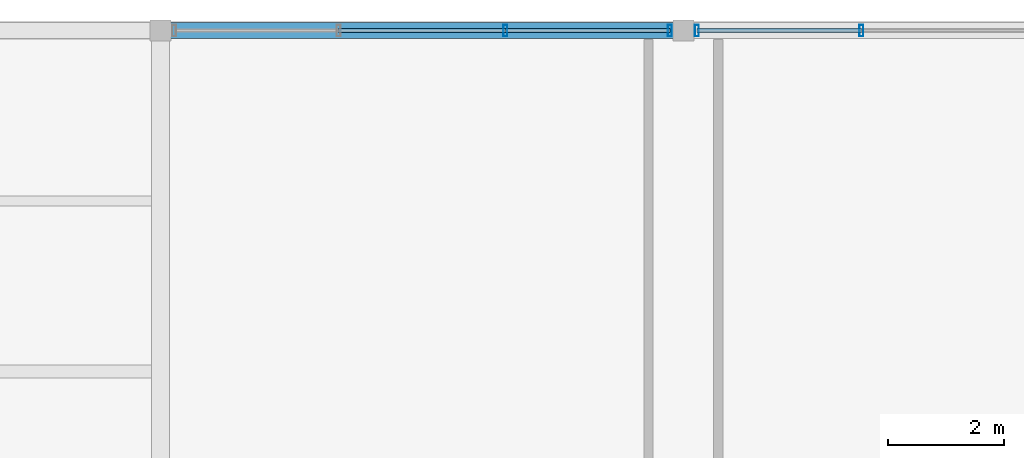
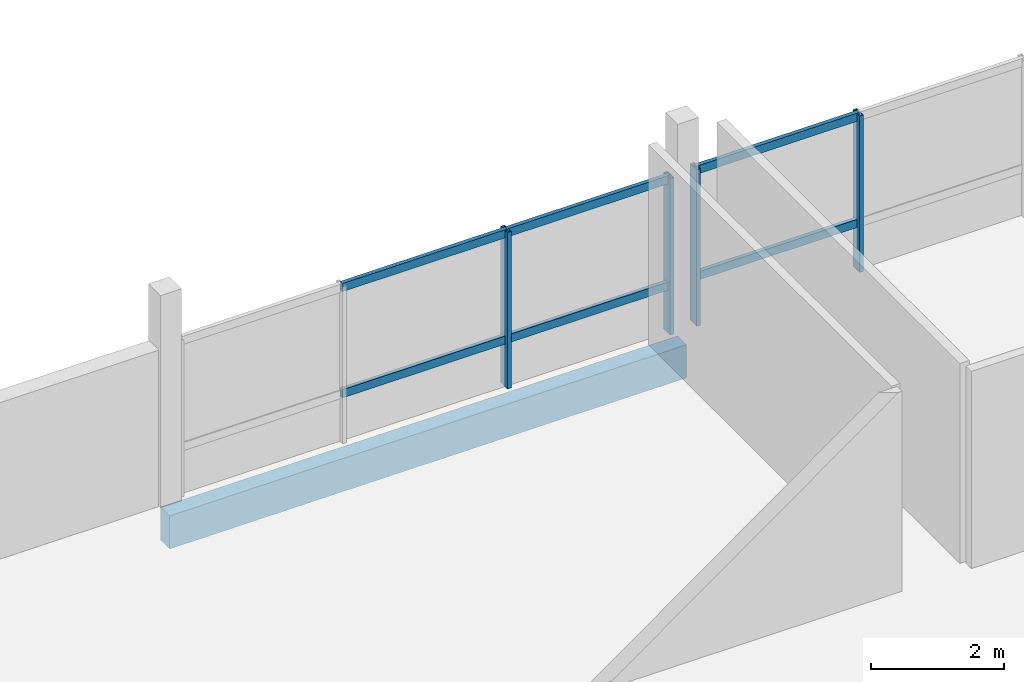
# One storey, part 28 of 39: 10 members, 1 beam, 2 elements without a shape of their own.
"""IFC4 building model written with IfcOpenShell, lengths in metres."""

import ifcopenshell
import ifcopenshell.guid

model = None  # the IFC model being written
_history = None  # IfcOwnerHistory: only IFC2X3 demands one
_inside = {}  # id of a spatial element -> (the spatial element, [elements in it])
_under = {}  # id of a project, library or spatial element -> (it, [spatial elements below it])
_declared = {}  # id of a project -> (the project, [libraries it declares])
_typed = {}  # id of a type object -> (the type object, [elements of that type])
_made_of = {}  # id of a material, layer set ... -> (it, [elements and type objects made of it])


def new_model(schema):
    """Start an empty IFC model of exactly this schema.

    Asked for "IFC4X3", IfcOpenShell would pick the latest addendum, in which some entities
    have other attributes; the version numbers below select the first issue.
    IFC2X3 requires an IfcOwnerHistory on every rooted entity: one is made here for all.
    """
    global model, _history
    if schema == "IFC4X3":
        model = ifcopenshell.file(schema_version=(4, 3, 0, 0))
    else:
        model = ifcopenshell.file(schema=schema)
    _inside.clear()
    _under.clear()
    _declared.clear()
    _typed.clear()
    _made_of.clear()
    _history = None
    if model.schema == "IFC2X3":
        org = make("IfcOrganization", Name="unknown")
        user = make(
            "IfcPersonAndOrganization",
            ThePerson=make("IfcPerson", FamilyName="unknown"),
            TheOrganization=org,
        )
        app = make(
            "IfcApplication",
            ApplicationDeveloper=org,
            Version="unknown",
            ApplicationFullName="unknown",
            ApplicationIdentifier="unknown",
        )
        _history = make(
            "IfcOwnerHistory",
            OwningUser=user,
            OwningApplication=app,
            ChangeAction="ADDED",
            CreationDate=0,
        )
    return model


def make(cls, **values):
    """One entity of the class cls with the attributes given. An attribute that is None is left unset."""
    return model.create_entity(
        cls, **{name: value for name, value in values.items() if value is not None}
    )


def rooted(cls, **values):
    """An entity with a GlobalId (a new one), such as an element, a storey or a relation."""
    return make(cls, GlobalId=ifcopenshell.guid.new(), OwnerHistory=_history, **values)


def si_unit(unit_type, name, prefix=None):
    """IfcSIUnit, for example si_unit("LENGTHUNIT", "METRE", prefix="MILLI")."""
    return make("IfcSIUnit", UnitType=unit_type, Prefix=prefix, Name=name)


def assignment(units):
    """IfcUnitAssignment: the units of a project."""
    return None if units is None else make("IfcUnitAssignment", Units=units)


def point(xyz):
    """IfcCartesianPoint."""
    return None if xyz is None else make("IfcCartesianPoint", Coordinates=xyz)


def direction(xyz):
    """IfcDirection."""
    return None if xyz is None else make("IfcDirection", DirectionRatios=xyz)


def frame(location, z_axis=None, x_axis=None):
    """IfcAxis2Placement3D, a coordinate frame: its origin and axes. An axis left out is left unset."""
    return make(
        "IfcAxis2Placement3D",
        Location=point(location),
        Axis=direction(z_axis),
        RefDirection=direction(x_axis),
    )


def frame_2d(location, x_axis=None):
    """IfcAxis2Placement2D, a coordinate frame in the plane: its origin and x axis."""
    return make(
        "IfcAxis2Placement2D", Location=point(location), RefDirection=direction(x_axis)
    )


def origin():
    """The frame at (0, 0, 0) with its axes left unset."""
    return frame((0.0, 0.0, 0.0))


def origin_2d():
    """The frame at (0, 0) in the plane with its x axis left unset."""
    return frame_2d((0.0, 0.0))


def place(relative_to, where):
    """IfcLocalPlacement: puts the frame where relative to a parent placement (None: the world)."""
    return make(
        "IfcLocalPlacement", PlacementRelTo=relative_to, RelativePlacement=where
    )


def context(
    kind, dimensions, precision=None, world=None, true_north=None, identifier=None
):
    """IfcGeometricRepresentationContext, for example the 3D "Model" context."""
    return make(
        "IfcGeometricRepresentationContext",
        ContextIdentifier=identifier,
        ContextType=kind,
        CoordinateSpaceDimension=dimensions,
        Precision=precision,
        WorldCoordinateSystem=world,
        TrueNorth=true_north,
    )


def subcontext(parent, identifier, kind, view, scale=None):
    """IfcGeometricRepresentationSubContext, for example "Body" below "Model"."""
    return make(
        "IfcGeometricRepresentationSubContext",
        ContextIdentifier=identifier,
        ContextType=kind,
        ParentContext=parent,
        TargetScale=scale,
        TargetView=view,
    )


def project(units=None, contexts=None):
    """IfcProject with its units and contexts."""
    return rooted(
        "IfcProject",
        Name="project",
        RepresentationContexts=contexts,
        UnitsInContext=assignment(units),
    )


def spatial(cls, under=None, at=None, **own):
    """A site, building, storey or space (cls), placed at a placement, below another one or the project."""
    s = rooted(cls, ObjectPlacement=at, **own)
    if under is not None:
        _under.setdefault(under.id(), (under, []))[1].append(s)
    return s


def profile(cls, at=None, kind="AREA", **sizes):
    """A parametric profile (cls). Its sizes go by their IFC names, for example OverallWidth=200.0."""
    return make(cls, ProfileType=kind, Position=at, **sizes)


def rectangle(**sizes):
    """IfcRectangleProfileDef."""
    return profile("IfcRectangleProfileDef", **sizes)


def hollow_rectangle(**sizes):
    """IfcRectangleHollowProfileDef."""
    return profile("IfcRectangleHollowProfileDef", **sizes)


def extrude(swept, where, along, depth):
    """IfcExtrudedAreaSolid: the profile swept, set in the frame where, extruded along a direction by depth."""
    return make(
        "IfcExtrudedAreaSolid",
        SweptArea=swept,
        Position=where,
        ExtrudedDirection=direction(along),
        Depth=depth,
    )


def shape(context_of_items, identifier, shape_type, items):
    """IfcShapeRepresentation: the items that make up one representation, for example the "Body"."""
    return make(
        "IfcShapeRepresentation",
        ContextOfItems=context_of_items,
        RepresentationIdentifier=identifier,
        RepresentationType=shape_type,
        Items=items,
    )


def material(Name=None, Category=None):
    """IfcMaterial."""
    return make("IfcMaterial", Name=Name, Category=Category)


def layer(
    of_material, thickness, ventilated=None, Name=None, Category=None, Priority=None
):
    """IfcMaterialLayer: one layer of a wall or slab, of a material (None: an air gap)."""
    return make(
        "IfcMaterialLayer",
        Material=of_material,
        LayerThickness=thickness,
        IsVentilated=ventilated,
        Name=Name,
        Category=Category,
        Priority=Priority,
    )


def layer_set(layers, Name=None):
    """IfcMaterialLayerSet."""
    return make("IfcMaterialLayerSet", MaterialLayers=layers, LayerSetName=Name)


def material_profile(
    of_material, cross_section, Name=None, Category=None, Priority=None
):
    """IfcMaterialProfile: a cross section and its material."""
    return make(
        "IfcMaterialProfile",
        Name=Name,
        Material=of_material,
        Profile=cross_section,
        Priority=Priority,
        Category=Category,
    )


def profile_set(profiles, Name=None, composite=None):
    """IfcMaterialProfileSet."""
    return make(
        "IfcMaterialProfileSet",
        Name=Name,
        MaterialProfiles=profiles,
        CompositeProfile=composite,
    )


def made_of(thing, what):
    """Note that an element or type object is made of a material, layer set ...; save() writes the relation."""
    if what is not None:
        _made_of.setdefault(what.id(), (what, []))[1].append(thing)
    return thing


def type_object(cls, material=None, **own):
    """A type object (cls), such as IfcWallType, which elements share."""
    return made_of(rooted(cls, **own), material)


def element(
    cls,
    number,
    at=None,
    inside=None,
    cuts=None,
    type_object=None,
    material=None,
    context=None,
    identifier="Body",
    shape_type=None,
    held_by="IfcProductDefinitionShape",
    body=None,
    shapes=None,
    **own,
):
    """One element of the class cls, such as IfcWall. Its Tag is "e" and its number.

    at: its placement. inside: the storey or other place that contains it. cuts: it is an
    opening in that element (IfcRelVoidsElement). A single representation is given by context,
    identifier, shape_type and body (its items); several are given by shapes. held_by: the class
    of the entity that holds the representations. save() writes the other relations.
    """
    e = rooted(cls, Tag="e%d" % number, ObjectPlacement=at, **own)
    if body is not None:
        shapes = [shape(context, identifier, shape_type, body)]
    if shapes is not None:
        e.Representation = make(held_by, Representations=shapes)
    if inside is not None:
        _inside.setdefault(inside.id(), (inside, []))[1].append(e)
    if cuts is not None:
        rooted(
            "IfcRelVoidsElement", RelatingBuildingElement=cuts, RelatedOpeningElement=e
        )
    if type_object is not None:
        _typed.setdefault(type_object.id(), (type_object, []))[1].append(e)
    return made_of(e, material)


def aggregate(whole, parts):
    """IfcRelAggregates: a whole, such as a stair, and the parts it consists of."""
    return rooted("IfcRelAggregates", RelatingObject=whole, RelatedObjects=parts)


def save(model, path):
    """Write the relations noted so far, then the file.

    IfcRelAggregates (storeys below a building ...), IfcRelContainedInSpatialStructure (elements
    in a storey), IfcRelDefinesByType, IfcRelAssociatesMaterial and IfcRelDeclares: one each for
    every whole, place, type object, material and project.
    """
    for whole, parts in _under.values():
        aggregate(whole, parts)
    for where, things in _inside.values():
        rooted(
            "IfcRelContainedInSpatialStructure",
            RelatedElements=things,
            RelatingStructure=where,
        )
    for kind, things in _typed.values():
        rooted("IfcRelDefinesByType", RelatedObjects=things, RelatingType=kind)
    for what, things in _made_of.values():
        rooted("IfcRelAssociatesMaterial", RelatedObjects=things, RelatingMaterial=what)
    for by, libraries in _declared.values():
        rooted("IfcRelDeclares", RelatingContext=by, RelatedDefinitions=libraries)
    model.write(path)


model = new_model("IFC4")

# Units and contexts
model_context = context("Model", 3, precision=1e-05, world=origin(), true_north=direction((0.0, 1.0)))
body_context = subcontext(model_context, "Body", "Model", "MODEL_VIEW")
ifc_project = project(units=[si_unit("LENGTHUNIT", "METRE"), si_unit("AREAUNIT", "SQUARE_METRE"), si_unit("VOLUMEUNIT", "CUBIC_METRE"), si_unit("PLANEANGLEUNIT", "RADIAN"), si_unit("MASSUNIT", "GRAM", prefix="KILO")], contexts=[model_context])

# Site, building, storey
site_placement = place(None, origin())
site = spatial("IfcSite", under=ifc_project, at=site_placement, CompositionType="ELEMENT")
building_placement = place(site_placement, origin())
building = spatial("IfcBuilding", under=site, at=building_placement, Name="Meriwether Solvik Hall", CompositionType="ELEMENT")
storey_placement = place(building_placement, frame((0.0, 0.0, 22.199951171875)))
storey = spatial("IfcBuildingStorey", under=building, at=storey_placement, Name="L05", CompositionType="ELEMENT", Elevation=22.199951171875)

# Beam
ifc_material_1 = material(Name="Glulam Douglas-Fir 24F-V8 GL28h", Category="wood")
ifc_material_profile_1 = material_profile(ifc_material_1, rectangle(XDim=0.27294921875, YDim=0.610107421875, at=origin_2d()), Name="GLB-273X610")
ifc_profile_set_1 = profile_set([ifc_material_profile_1], Name="Glulam Douglas-Fir 24F-V8 GL28h")
beam_type = type_object("IfcBeamType", Name="BM-GL-273X610", PredefinedType="SPANDREL", material=ifc_profile_set_1)
beam_placement = place(storey_placement, frame((77.800048828125, 92.800048828125, -0.550048828125), z_axis=(1.0, 0.0, 0.0), x_axis=(0.0, 1.0, 0.0)))
element("IfcBeam", 1, at=beam_placement, inside=storey, type_object=beam_type, Name="Podium Girder K:9-10 (L05)", PredefinedType="SPANDREL", context=body_context, shape_type="SweptSolid", body=[
    extrude(rectangle(XDim=0.27294921875, YDim=0.610107421875, at=origin_2d()), origin(), (0.0, 0.0, 1.0), 9.0),
])

# Curtain wall, members
ifc_material_2 = material(Name="Thermally Broken Anodised Aluminium 6063-T6 and Low-E Glass", Category="aluminium")
ifc_layer = layer(ifc_material_2, 0.179931640625)
ifc_layer_set = layer_set([ifc_layer], Name="Thermally Broken Anodised Aluminium 6063-T6 and Low-E Glass")
curtain_wall_type = type_object("IfcCurtainWallType", Name="CW-UNIT-E", PredefinedType="USERDEFINED", material=ifc_layer_set)
curtain_wall_1_placement = place(storey_placement, origin())
curtain_wall_1 = element("IfcCurtainWall", 2, at=curtain_wall_1_placement, inside=storey, type_object=curtain_wall_type, Name="Curtain Wall wing_XK_9_8 (L05)", ObjectType="UNITISED CURTAIN WALL", PredefinedType="USERDEFINED")
ifc_material_3 = material(Name="Anodised Aluminium 6063-T6", Category="aluminium")
ifc_material_profile_2 = material_profile(ifc_material_3, hollow_rectangle(XDim=0.070068359375, YDim=0.199951171875, WallThickness=0.0048828125, at=origin_2d()), Name="CWM-70X200")
ifc_profile_set_2 = profile_set([ifc_material_profile_2], Name="Anodised Aluminium 6063-T6")
member_type_1 = type_object("IfcMemberType", Name="CW-MUL-70X200", PredefinedType="MULLION", material=ifc_profile_set_2)
member_1_placement = place(storey_placement, frame((83.735107421875, 92.800048828125, 0.0), z_axis=(0.0, 0.0, 1.0), x_axis=(1.0, 0.0, 0.0)))
member_1 = element("IfcMember", 3, at=member_1_placement, type_object=member_type_1, Name="Curtain Wall Mullion 3", PredefinedType="MULLION", context=body_context, shape_type="SweptSolid", body=[
    extrude(hollow_rectangle(XDim=0.070068359375, YDim=0.199951171875, WallThickness=0.0048828125, at=origin_2d()), origin(), (0.0, 0.0, 1.0), 2.880126953125),
])
member_2_placement = place(storey_placement, frame((86.5673828125, 92.800048828125, 0.0), z_axis=(0.0, 0.0, 1.0), x_axis=(1.0, 0.0, 0.0)))
member_2 = element("IfcMember", 4, at=member_2_placement, type_object=member_type_1, Name="Curtain Wall Mullion 4", PredefinedType="MULLION", context=body_context, shape_type="SweptSolid", body=[
    extrude(hollow_rectangle(XDim=0.070068359375, YDim=0.199951171875, WallThickness=0.0048828125, at=origin_2d()), origin(), (0.0, 0.0, 1.0), 2.880126953125),
])

curtain_wall_2_placement = place(storey_placement, origin())
curtain_wall_2 = element("IfcCurtainWall", 5, at=curtain_wall_2_placement, inside=storey, type_object=curtain_wall_type, Name="Curtain Wall wing_XK_10_9 (L05)", ObjectType="UNITISED CURTAIN WALL", PredefinedType="USERDEFINED")
member_3_placement = place(storey_placement, frame((87.032470703125, 92.800048828125, 0.0), z_axis=(0.0, 0.0, 1.0), x_axis=(1.0, 0.0, 0.0)))
member_3 = element("IfcMember", 6, at=member_3_placement, type_object=member_type_1, Name="Curtain Wall Mullion 1", PredefinedType="MULLION", context=body_context, shape_type="SweptSolid", body=[
    extrude(hollow_rectangle(XDim=0.070068359375, YDim=0.199951171875, WallThickness=0.0048828125, at=origin_2d()), origin(), (0.0, 0.0, 1.0), 2.880126953125),
])
member_4_placement = place(storey_placement, frame((89.86474609375, 92.800048828125, 0.0), z_axis=(0.0, 0.0, 1.0), x_axis=(1.0, 0.0, 0.0)))
member_4 = element("IfcMember", 7, at=member_4_placement, type_object=member_type_1, Name="Curtain Wall Mullion 2", PredefinedType="MULLION", context=body_context, shape_type="SweptSolid", body=[
    extrude(hollow_rectangle(XDim=0.070068359375, YDim=0.199951171875, WallThickness=0.0048828125, at=origin_2d()), origin(), (0.0, 0.0, 1.0), 2.880126953125),
])

# Member
ifc_material_4 = material(Name="Anodised Aluminium 6063-T6", Category="aluminium")
ifc_material_profile_3 = material_profile(ifc_material_4, hollow_rectangle(XDim=0.070068359375, YDim=0.14990234375, WallThickness=0.0048828125, at=origin_2d()), Name="CWT-70X150")
ifc_profile_set_3 = profile_set([ifc_material_profile_3], Name="Anodised Aluminium 6063-T6")
member_type_2 = type_object("IfcMemberType", Name="CW-TRN-70X150", PredefinedType="USERDEFINED", material=ifc_profile_set_3)
member_5_placement = place(storey_placement, frame((80.86474609375, 92.800048828125, 0.864013671875), z_axis=(1.0, 0.0, 0.0), x_axis=(0.0, 1.0, 0.0)))
member_5 = element("IfcMember", 8, at=member_5_placement, type_object=member_type_2, Name="Curtain Wall Transom 2-sill", ObjectType="TRANSOM", PredefinedType="USERDEFINED", context=body_context, shape_type="SweptSolid", body=[
    extrude(hollow_rectangle(XDim=0.070068359375, YDim=0.14990234375, WallThickness=0.0048828125, at=origin_2d()), origin(), (0.0, 0.0, 1.0), 2.870361328125),
])

member_6_placement = place(storey_placement, frame((80.86474609375, 92.800048828125, 2.820068359375), z_axis=(1.0, 0.0, 0.0), x_axis=(0.0, 1.0, 0.0)))
member_6 = element("IfcMember", 9, at=member_6_placement, type_object=member_type_2, Name="Curtain Wall Transom 2-head", ObjectType="TRANSOM", PredefinedType="USERDEFINED", context=body_context, shape_type="SweptSolid", body=[
    extrude(hollow_rectangle(XDim=0.070068359375, YDim=0.14990234375, WallThickness=0.0048828125, at=origin_2d()), origin(), (0.0, 0.0, 1.0), 2.870361328125),
])

member_7_placement = place(storey_placement, frame((83.735107421875, 92.800048828125, 0.864013671875), z_axis=(1.0, 0.0, 0.0), x_axis=(0.0, 1.0, 0.0)))
member_7 = element("IfcMember", 10, at=member_7_placement, type_object=member_type_2, Name="Curtain Wall Transom 3-sill", ObjectType="TRANSOM", PredefinedType="USERDEFINED", context=body_context, shape_type="SweptSolid", body=[
    extrude(hollow_rectangle(XDim=0.070068359375, YDim=0.14990234375, WallThickness=0.0048828125, at=origin_2d()), origin(), (0.0, 0.0, 1.0), 2.832275390625),
])

member_8_placement = place(storey_placement, frame((83.735107421875, 92.800048828125, 2.820068359375), z_axis=(1.0, 0.0, 0.0), x_axis=(0.0, 1.0, 0.0)))
member_8 = element("IfcMember", 11, at=member_8_placement, type_object=member_type_2, Name="Curtain Wall Transom 3-head", ObjectType="TRANSOM", PredefinedType="USERDEFINED", context=body_context, shape_type="SweptSolid", body=[
    extrude(hollow_rectangle(XDim=0.070068359375, YDim=0.14990234375, WallThickness=0.0048828125, at=origin_2d()), origin(), (0.0, 0.0, 1.0), 2.832275390625),
])

aggregate(curtain_wall_1, [member_1, member_2, member_5, member_6, member_7, member_8])

member_9_placement = place(storey_placement, frame((87.032470703125, 92.800048828125, 0.864013671875), z_axis=(1.0, 0.0, 0.0), x_axis=(0.0, 1.0, 0.0)))
member_9 = element("IfcMember", 12, at=member_9_placement, type_object=member_type_2, Name="Curtain Wall Transom 1-sill", ObjectType="TRANSOM", PredefinedType="USERDEFINED", context=body_context, shape_type="SweptSolid", body=[
    extrude(hollow_rectangle(XDim=0.070068359375, YDim=0.14990234375, WallThickness=0.0048828125, at=origin_2d()), origin(), (0.0, 0.0, 1.0), 2.832275390625),
])

member_10_placement = place(storey_placement, frame((87.032470703125, 92.800048828125, 2.820068359375), z_axis=(1.0, 0.0, 0.0), x_axis=(0.0, 1.0, 0.0)))
member_10 = element("IfcMember", 13, at=member_10_placement, type_object=member_type_2, Name="Curtain Wall Transom 1-head", ObjectType="TRANSOM", PredefinedType="USERDEFINED", context=body_context, shape_type="SweptSolid", body=[
    extrude(hollow_rectangle(XDim=0.070068359375, YDim=0.14990234375, WallThickness=0.0048828125, at=origin_2d()), origin(), (0.0, 0.0, 1.0), 2.832275390625),
])

aggregate(curtain_wall_2, [member_3, member_4, member_9, member_10])

save(model, "model.ifc")
